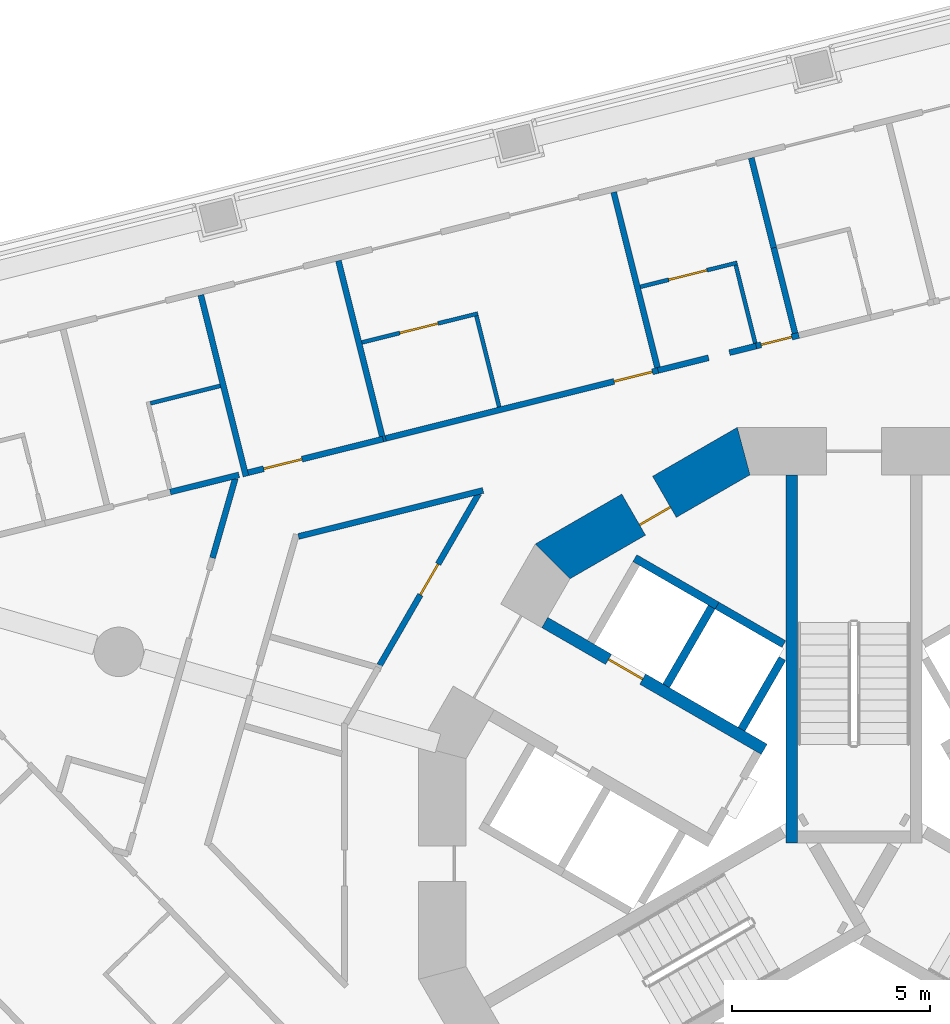
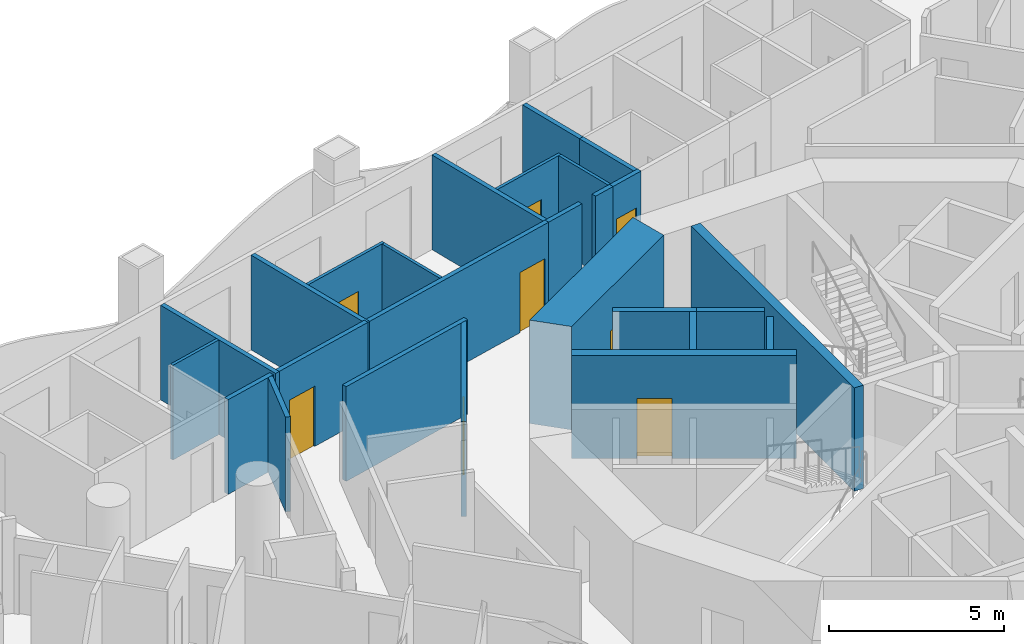
# One storey, part 8 of 20: 26 walls, 8 doors, 8 openings.
"""IFC4 building model written with IfcOpenShell, lengths in metres."""

from ifc_helpers import new_model, si_unit, direction, frame, frame_2d, origin, place, context, subcontext, project, spatial, polyline, rectangle, outline, extrude, material, layer, layer_set, type_object, element, fill, save


model = new_model("IFC4")

# Units and contexts
model_context = context("Model", 3, precision=1e-05, world=origin(), true_north=direction((0.0, 1.0)))
body_context = subcontext(model_context, "Body", "Model", "MODEL_VIEW")
ifc_project = project(units=[si_unit("LENGTHUNIT", "METRE"), si_unit("AREAUNIT", "SQUARE_METRE"), si_unit("VOLUMEUNIT", "CUBIC_METRE"), si_unit("PLANEANGLEUNIT", "RADIAN"), si_unit("MASSUNIT", "GRAM", prefix="KILO")], contexts=[model_context])

# Site, building, storey
site_placement = place(None, origin())
site = spatial("IfcSite", under=ifc_project, at=site_placement, CompositionType="ELEMENT")
building_placement = place(site_placement, origin())
building = spatial("IfcBuilding", under=site, at=building_placement, Name="Trine Commons Tower", CompositionType="ELEMENT")
storey_placement = place(building_placement, frame((0.0, 0.0, 101.699951171875)))
storey = spatial("IfcBuildingStorey", under=building, at=storey_placement, Name="L25", CompositionType="ELEMENT", Elevation=101.699951171875)

# Wall, opening, door
ifc_material_1 = material(Name="Concrete C70/85", Category="concrete")
ifc_layer_1 = layer(ifc_material_1, 1.199951171875)
ifc_layer_set_1 = layer_set([ifc_layer_1], Name="Concrete C70/85")
wall_type_1 = type_object("IfcWallType", Name="RC shear wall 1200 mm, C70/85", PredefinedType="SHEAR", material=ifc_layer_set_1)
wall_1_placement = place(storey_placement, frame((77.349609375, 72.991943359375, 0.0), z_axis=(0.0, 0.0, 1.0), x_axis=(-0.866037463336, -0.499979111662, 0.0)))
wall_1 = element("IfcWall", 1, at=wall_1_placement, inside=storey, type_object=wall_type_1, Name="Core wall CWC-05 L25", PredefinedType="SHEAR", context=body_context, shape_type="SweptSolid", body=[
    extrude(outline(polyline([(0.0, -0.60009765625), (5.901123046875, -0.60009765625), (5.57958984375, 0.60009765625), (0.321533203125, 0.60009765625), (0.0, -0.60009765625)])), origin(), (0.0, 0.0, 1.0), 3.60009765625),
])
opening_1_placement = place(wall_1_placement, frame((2.474853515625, 0.0, 0.0)))
opening_1 = element("IfcOpeningElement", 2, at=opening_1_placement, cuts=wall_1, Name="Opening K04.13", PredefinedType="OPENING", context=body_context, shape_type="SweptSolid", body=[
    extrude(rectangle(XDim=0.89990234375, YDim=2.10009765625, at=frame_2d((0.449951171875, 1.050048828125))), frame((0.0, 0.60986328125, 0.0), z_axis=(0.0, -1.0, 0.0), x_axis=(1.0, 0.0, 0.0)), (0.0, 0.0, 1.0), 1.219970703125),
])
ifc_material_2 = material(Name="Steel door leaf, fire-rated", Category="steel")
door_type_1 = type_object("IfcDoorType", Name="Core room door, single leaf 900 x 2100, FD30S", OperationType="SINGLE_SWING_LEFT", PredefinedType="DOOR", material=ifc_material_2)
door_1_placement = place(opening_1_placement, origin())
door_1 = element("IfcDoor", 3, at=door_1_placement, inside=storey, type_object=door_type_1, Name="Door to Comms room L25", OperationType="SINGLE_SWING_LEFT", OverallHeight=2.10009765625, OverallWidth=0.89990234375, PredefinedType="DOOR", context=body_context, shape_type="SweptSolid", body=[
    extrude(rectangle(XDim=0.89990234375, YDim=2.10009765625, at=frame_2d((0.449951171875, 1.050048828125))), frame((0.0, 0.3251953125, 0.0), z_axis=(0.0, -1.0, 0.0), x_axis=(1.0, 0.0, 0.0)), (0.0, 0.0, 1.0), 0.050048828125),
])
fill(opening_1, door_1)

ifc_layer_2 = layer(ifc_material_1, 0.300048828125)
ifc_layer_set_2 = layer_set([ifc_layer_2], Name="Concrete C70/85")
wall_type_2 = type_object("IfcWallType", Name="RC shear wall 300 mm, C70/85", PredefinedType="SHEAR", material=ifc_layer_set_2)
wall_2_placement = place(storey_placement, frame((77.73095703125, 65.368896484375, 0.0), z_axis=(0.0, 0.0, 1.0), x_axis=(-0.866022631842, 0.500004801114, 0.0)))
wall_2 = element("IfcWall", 4, at=wall_2_placement, inside=storey, type_object=wall_type_2, Name="Core cross wall SWA-02 L25", PredefinedType="SHEAR", context=body_context, shape_type="SweptSolid", body=[
    extrude(rectangle(XDim=6.412109375, YDim=0.300048828125, at=frame_2d((3.2060546875, 0.0))), origin(), (0.0, 0.0, 1.0), 3.60009765625),
])
opening_2_placement = place(wall_2_placement, frame((3.55029296875, 0.0, 0.0)))
opening_2 = element("IfcOpeningElement", 5, at=opening_2_placement, cuts=wall_2, Name="Opening LD4", PredefinedType="OPENING", context=body_context, shape_type="SweptSolid", body=[
    extrude(rectangle(XDim=1.0, YDim=2.10009765625, at=frame_2d((0.5, 1.050048828125))), frame((0.0, 0.159912109375, 0.0), z_axis=(0.0, -1.0, 0.0), x_axis=(1.0, 0.0, 0.0)), (0.0, 0.0, 1.0), 0.320068359375),
])
ifc_material_3 = material(Name="Stainless steel sliding door leaves", Category="steel")
door_type_2 = type_object("IfcDoorType", Name="Lift landing door, centre-opening sliding 1000 x 2100, FD90", OperationType="DOUBLE_DOOR_SLIDING", PredefinedType="DOOR", material=ifc_material_3)
door_2_placement = place(opening_2_placement, origin())
door_2 = element("IfcDoor", 6, at=door_2_placement, inside=storey, type_object=door_type_2, Name="Lift landing door LR4 L25", OperationType="DOUBLE_DOOR_SLIDING", OverallHeight=2.10009765625, OverallWidth=1.0, PredefinedType="DOOR", context=body_context, shape_type="SweptSolid", body=[
    extrude(rectangle(XDim=1.0, YDim=2.10009765625, at=frame_2d((0.5, 1.050048828125))), frame((0.0, 0.02490234375, 0.0), z_axis=(0.0, -1.0, 0.0), x_axis=(1.0, 0.0, 0.0)), (0.0, 0.0, 1.0), 0.050048828125),
])
fill(opening_2, door_2)

# Walls
wall_3_placement = place(storey_placement, frame((78.425048828125, 63.0009765625, 0.0), z_axis=(0.0, 0.0, 1.0), x_axis=(0.0, 1.0, 0.0)))
element("IfcWall", 7, at=wall_3_placement, inside=storey, type_object=wall_type_2, Name="Core cross wall SWA-08 L25", PredefinedType="SHEAR", context=body_context, shape_type="SweptSolid", body=[
    extrude(rectangle(XDim=9.31103515625, YDim=0.300048828125, at=frame_2d((4.655517578125, 0.0))), origin(), (0.0, 0.0, 1.0), 3.60009765625),
])
ifc_material_4 = material(Name="Fire-rated gypsum shaft wall system")
ifc_layer_3 = layer(ifc_material_4, 0.199951171875)
ifc_layer_set_3 = layer_set([ifc_layer_3], Name="Fire-rated gypsum shaft wall system")
wall_type_3 = type_object("IfcWallType", Name="Shaft wall 200 mm, EI 120", PredefinedType="PARTITIONING", material=ifc_layer_set_3)
wall_4_placement = place(storey_placement, frame((75.2509765625, 66.97412109375, 0.0), z_axis=(0.0, 0.0, 1.0), x_axis=(0.500136062276, 0.86594683394, 0.0)))
element("IfcWall", 8, at=wall_4_placement, inside=storey, type_object=wall_type_3, Name="Shaft wall L25", PredefinedType="PARTITIONING", context=body_context, shape_type="SweptSolid", body=[
    extrude(rectangle(XDim=2.299072265625, YDim=0.199951171875, at=frame_2d((1.1494140625, 0.0))), origin(), (0.0, 0.0, 1.0), 3.300048828125),
])
wall_5_placement = place(storey_placement, frame((76.5380859375, 69.001953125, 0.0), z_axis=(0.0, 0.0, 1.0), x_axis=(-0.866202511239, 0.499693115345, 0.0)))
element("IfcWall", 9, at=wall_5_placement, inside=storey, type_object=wall_type_3, Name="Shaft wall L25", PredefinedType="PARTITIONING", context=body_context, shape_type="SweptSolid", body=[
    extrude(rectangle(XDim=2.4013671875, YDim=0.199951171875, at=frame_2d((1.20068359375, 0.0))), origin(), (0.0, 0.0, 1.0), 3.300048828125),
])
wall_6_placement = place(storey_placement, frame((77.156005859375, 65.8740234375, 0.0), z_axis=(0.0, 0.0, 1.0), x_axis=(0.499865770674, 0.866102887253, 0.0)))
element("IfcWall", 10, at=wall_6_placement, inside=storey, type_object=wall_type_3, Name="Shaft wall L25", PredefinedType="PARTITIONING", context=body_context, shape_type="SweptSolid", body=[
    extrude(rectangle(XDim=2.064453125, YDim=0.199951171875, at=frame_2d((1.0322265625, 0.0))), origin(), (0.0, 0.0, 1.0), 3.300048828125),
])
wall_7_placement = place(storey_placement, frame((78.22509765625, 68.028076171875, 0.0), z_axis=(0.0, 0.0, 1.0), x_axis=(-0.866052014814, 0.499953905513, 0.0)))
element("IfcWall", 11, at=wall_7_placement, inside=storey, type_object=wall_type_3, Name="Shaft wall L25", PredefinedType="PARTITIONING", context=body_context, shape_type="SweptSolid", body=[
    extrude(rectangle(XDim=1.947998046875, YDim=0.199951171875, at=frame_2d((0.97412109375, 0.0))), origin(), (0.0, 0.0, 1.0), 3.300048828125),
])
ifc_material_5 = material(Name="Gypsum plasterboard on steel stud", Category="steel")
ifc_layer_4 = layer(ifc_material_5, 0.14990234375)
ifc_layer_set_4 = layer_set([ifc_layer_4], Name="Gypsum plasterboard on steel stud")
wall_type_4 = type_object("IfcWallType", Name="Unit and corridor wall 150 mm, EI 60", PredefinedType="PARTITIONING", material=ifc_layer_set_4)
wall_8_placement = place(storey_placement, frame((62.705078125, 71.8759765625, 0.0), z_axis=(0.0, 0.0, 1.0), x_axis=(0.970318656337, 0.241829909573, 0.0)))
element("IfcWall", 12, at=wall_8_placement, inside=storey, type_object=wall_type_4, Name="Partition 027", PredefinedType="PARTITIONING", context=body_context, shape_type="SweptSolid", body=[
    extrude(rectangle(XDim=1.791015625, YDim=0.14990234375, at=frame_2d((0.8955078125, 0.0))), origin(), (0.0, 0.0, 1.0), 3.300048828125),
])
wall_9_placement = place(storey_placement, frame((63.476806640625, 76.858154296875, 0.0), z_axis=(0.0, 0.0, 1.0), x_axis=(0.242049130854, -0.970263994103, 0.0)))
element("IfcWall", 13, at=wall_9_placement, inside=storey, type_object=wall_type_4, Name="Partition 029", PredefinedType="PARTITIONING", context=body_context, shape_type="SweptSolid", body=[
    extrude(rectangle(XDim=4.723388671875, YDim=0.14990234375, at=frame_2d((2.36181640625, 0.0))), origin(), (0.0, 0.0, 1.0), 3.300048828125),
])
wall_10_placement = place(storey_placement, frame((63.77392578125, 70.2099609375, 0.0), z_axis=(0.0, 0.0, 1.0), x_axis=(0.275353680299, 0.961342993289, 0.0)))
element("IfcWall", 14, at=wall_10_placement, inside=storey, type_object=wall_type_4, Name="Partition 032", PredefinedType="PARTITIONING", context=body_context, shape_type="SweptSolid", body=[
    extrude(rectangle(XDim=2.08984375, YDim=0.14990234375, at=frame_2d((1.044921875, 0.0))), origin(), (0.0, 0.0, 1.0), 3.300048828125),
])

# Wall, opening, door
wall_11_placement = place(storey_placement, frame((64.6708984375, 72.3662109375, 0.0), z_axis=(0.0, 0.0, 1.0), x_axis=(0.97035426046, 0.241687006697, 0.0)))
wall_11 = element("IfcWall", 15, at=wall_11_placement, inside=storey, type_object=wall_type_4, Name="Partition 034", PredefinedType="PARTITIONING", context=body_context, shape_type="SweptSolid", body=[
    extrude(rectangle(XDim=3.520263671875, YDim=0.14990234375, at=frame_2d((1.76025390625, 0.0))), origin(), (0.0, 0.0, 1.0), 3.300048828125),
])
opening_3_placement = place(wall_11_placement, frame((0.41015625, 0.0, 0.0)))
opening_3 = element("IfcOpeningElement", 16, at=opening_3_placement, cuts=wall_11, Name="Opening D-3B09", PredefinedType="OPENING", context=body_context, shape_type="SweptSolid", body=[
    extrude(rectangle(XDim=1.0, YDim=2.10009765625, at=frame_2d((0.5, 1.050048828125))), frame((0.0, 0.0849609375, 0.0), z_axis=(0.0, -1.0, 0.0), x_axis=(1.0, 0.0, 0.0)), (0.0, 0.0, 1.0), 0.169921875),
])
ifc_material_6 = material(Name="Painted timber", Category="wood")
door_type_3 = type_object("IfcDoorType", Name="Amenity room door 1000 x 2100, NOT RATED", OperationType="NOTDEFINED", PredefinedType="DOOR", material=ifc_material_6)
door_3_placement = place(opening_3_placement, origin())
door_3 = element("IfcDoor", 17, at=door_3_placement, inside=storey, type_object=door_type_3, Name="Door D-3B09", OperationType="SINGLE_SWING_LEFT", OverallHeight=2.10009765625, OverallWidth=1.0, PredefinedType="DOOR", context=body_context, shape_type="SweptSolid", body=[
    extrude(rectangle(XDim=1.0, YDim=2.10009765625, at=frame_2d((0.5, 1.050048828125))), frame((0.0, 0.02490234375, 0.0), z_axis=(0.0, -1.0, 0.0), x_axis=(1.0, 0.0, 0.0)), (0.0, 0.0, 1.0), 0.050048828125),
])
fill(opening_3, door_3)

# Walls
wall_12_placement = place(storey_placement, frame((65.94677734375, 70.751220703125, 0.0), z_axis=(0.0, 0.0, 1.0), x_axis=(0.970300367674, 0.241903279206, 0.0)))
element("IfcWall", 18, at=wall_12_placement, inside=storey, type_object=wall_type_4, Name="Partition 038", PredefinedType="PARTITIONING", context=body_context, shape_type="SweptSolid", body=[
    extrude(rectangle(XDim=4.815185546875, YDim=0.14990234375, at=frame_2d((2.40771484375, 0.0))), origin(), (0.0, 0.0, 1.0), 3.300048828125),
])
wall_13_placement = place(storey_placement, frame((66.958740234375, 77.726318359375, 0.0), z_axis=(0.0, 0.0, 1.0), x_axis=(0.24185448203, -0.970312531879, 0.0)))
element("IfcWall", 19, at=wall_13_placement, inside=storey, type_object=wall_type_4, Name="Partition 039", PredefinedType="PARTITIONING", context=body_context, shape_type="SweptSolid", body=[
    extrude(rectangle(XDim=4.72314453125, YDim=0.14990234375, at=frame_2d((2.361572265625, 0.0))), origin(), (0.0, 0.0, 1.0), 3.300048828125),
])

# Wall, opening, door
wall_14_placement = place(storey_placement, frame((68.00244140625, 67.493896484375, 0.0), z_axis=(0.0, 0.0, 1.0), x_axis=(0.499945814907, 0.866056685303, 0.0)))
wall_14 = element("IfcWall", 20, at=wall_14_placement, inside=storey, type_object=wall_type_4, Name="Partition 044", PredefinedType="PARTITIONING", context=body_context, shape_type="SweptSolid", body=[
    extrude(rectangle(XDim=5.0146484375, YDim=0.14990234375, at=frame_2d((2.50732421875, 0.0))), origin(), (0.0, 0.0, 1.0), 3.300048828125),
])
opening_4_placement = place(wall_14_placement, frame((2.057373046875, 0.0, 0.0)))
opening_4 = element("IfcOpeningElement", 21, at=opening_4_placement, cuts=wall_14, Name="Opening D-3B40", PredefinedType="OPENING", context=body_context, shape_type="SweptSolid", body=[
    extrude(rectangle(XDim=0.89990234375, YDim=2.10009765625, at=frame_2d((0.449951171875, 1.050048828125))), frame((0.0, 0.0849609375, 0.0), z_axis=(0.0, -1.0, 0.0), x_axis=(1.0, 0.0, 0.0)), (0.0, 0.0, 1.0), 0.169921875),
])
ifc_material_7 = material(Name="Timber fire door set", Category="wood")
door_type_4 = type_object("IfcDoorType", Name="Service door 900 x 2100, FD30S", OperationType="NOTDEFINED", PredefinedType="DOOR", material=ifc_material_7)
door_4_placement = place(opening_4_placement, origin())
door_4 = element("IfcDoor", 22, at=door_4_placement, inside=storey, type_object=door_type_4, Name="Door D-3B40", OperationType="SINGLE_SWING_LEFT", OverallHeight=2.10009765625, OverallWidth=0.89990234375, PredefinedType="DOOR", context=body_context, shape_type="SweptSolid", body=[
    extrude(rectangle(XDim=0.89990234375, YDim=2.10009765625, at=frame_2d((0.449951171875, 1.050048828125))), frame((0.0, 0.02490234375, 0.0), z_axis=(0.0, -1.0, 0.0), x_axis=(1.0, 0.0, 0.0)), (0.0, 0.0, 1.0), 0.050048828125),
])
fill(opening_4, door_4)

wall_15_placement = place(storey_placement, frame((68.15185546875, 73.233154296875, 0.0), z_axis=(0.0, 0.0, 1.0), x_axis=(0.970264309974, 0.242047864671, 0.0)))
wall_15 = element("IfcWall", 23, at=wall_15_placement, inside=storey, type_object=wall_type_4, Name="Partition 045", PredefinedType="PARTITIONING", context=body_context, shape_type="SweptSolid", body=[
    extrude(rectangle(XDim=7.1845703125, YDim=0.14990234375, at=frame_2d((3.59228515625, 0.0))), origin(), (0.0, 0.0, 1.0), 3.300048828125),
])
opening_5_placement = place(wall_15_placement, frame((5.95556640625, 0.0, 0.0)))
opening_5 = element("IfcOpeningElement", 24, at=opening_5_placement, cuts=wall_15, Name="Opening D-3B10", PredefinedType="OPENING", context=body_context, shape_type="SweptSolid", body=[
    extrude(rectangle(XDim=1.0, YDim=2.10009765625, at=frame_2d((0.5, 1.050048828125))), frame((0.0, 0.0849609375, 0.0), z_axis=(0.0, -1.0, 0.0), x_axis=(1.0, 0.0, 0.0)), (0.0, 0.0, 1.0), 0.169921875),
])
door_type_5 = type_object("IfcDoorType", Name="Bedroom door 1000 x 2100, FD30S", OperationType="NOTDEFINED", PredefinedType="DOOR", material=ifc_material_7)
door_5_placement = place(opening_5_placement, origin())
door_5 = element("IfcDoor", 25, at=door_5_placement, inside=storey, type_object=door_type_5, Name="Door D-3B10", OperationType="SINGLE_SWING_RIGHT", OverallHeight=2.10009765625, OverallWidth=1.0, PredefinedType="DOOR", context=body_context, shape_type="SweptSolid", body=[
    extrude(rectangle(XDim=1.0, YDim=2.10009765625, at=frame_2d((0.5, 1.050048828125))), frame((0.0, 0.02490234375, 0.0), z_axis=(0.0, -1.0, 0.0), x_axis=(1.0, 0.0, 0.0)), (0.0, 0.0, 1.0), 0.050048828125),
])
fill(opening_5, door_5)

# Walls
wall_16_placement = place(storey_placement, frame((73.921630859375, 79.462158203125, 0.0), z_axis=(0.0, 0.0, 1.0), x_axis=(0.241945064156, -0.970289949412, 0.0)))
element("IfcWall", 26, at=wall_16_placement, inside=storey, type_object=wall_type_4, Name="Partition 056", PredefinedType="PARTITIONING", context=body_context, shape_type="SweptSolid", body=[
    extrude(rectangle(XDim=4.572021484375, YDim=0.14990234375, at=frame_2d((2.2861328125, 0.0))), origin(), (0.0, 0.0, 1.0), 3.300048828125),
])
wall_17_placement = place(storey_placement, frame((75.0419921875, 74.951904296875, 0.0), z_axis=(0.0, 0.0, 1.0), x_axis=(0.970305574553, 0.241882392893, 0.0)))
element("IfcWall", 27, at=wall_17_placement, inside=storey, type_object=wall_type_4, Name="Partition 058", PredefinedType="PARTITIONING", context=body_context, shape_type="SweptSolid", body=[
    extrude(rectangle(XDim=1.319091796875, YDim=0.14990234375, at=frame_2d((0.65966796875, 0.0))), origin(), (0.0, 0.0, 1.0), 3.300048828125),
])
wall_18_placement = place(storey_placement, frame((76.84912109375, 75.402099609375, 0.0), z_axis=(0.0, 0.0, 1.0), x_axis=(0.970471582377, 0.241215480013, 0.0)))
element("IfcWall", 28, at=wall_18_placement, inside=storey, type_object=wall_type_4, Name="Partition 062", PredefinedType="PARTITIONING", context=body_context, shape_type="SweptSolid", body=[
    extrude(rectangle(XDim=0.6962890625, YDim=0.14990234375, at=frame_2d((0.34814453125, 0.0))), origin(), (0.0, 0.0, 1.0), 3.300048828125),
])
wall_19_placement = place(storey_placement, frame((77.40380859375, 80.330078125, 0.0), z_axis=(0.0, 0.0, 1.0), x_axis=(0.24200944289, -0.97027389409, 0.0)))
element("IfcWall", 29, at=wall_19_placement, inside=storey, type_object=wall_type_4, Name="Partition 064", PredefinedType="PARTITIONING", context=body_context, shape_type="SweptSolid", body=[
    extrude(rectangle(XDim=2.40185546875, YDim=0.14990234375, at=frame_2d((1.200927734375, 0.0))), origin(), (0.0, 0.0, 1.0), 3.300048828125),
])

# Wall, opening, door
wall_20_placement = place(storey_placement, frame((77.468505859375, 75.556884765625, 0.0), z_axis=(0.0, 0.0, 1.0), x_axis=(0.970313954957, 0.241848772615, 0.0)))
wall_20 = element("IfcWall", 30, at=wall_20_placement, inside=storey, type_object=wall_type_4, Name="Partition 065", PredefinedType="PARTITIONING", context=body_context, shape_type="SweptSolid", body=[
    extrude(rectangle(XDim=1.1708984375, YDim=0.14990234375, at=frame_2d((0.58544921875, 0.0))), origin(), (0.0, 0.0, 1.0), 3.300048828125),
])
opening_6_placement = place(wall_20_placement, frame((0.186767578125, 0.0, 0.0)))
opening_6 = element("IfcOpeningElement", 31, at=opening_6_placement, cuts=wall_20, Name="Opening D-3B11", PredefinedType="OPENING", context=body_context, shape_type="SweptSolid", body=[
    extrude(rectangle(XDim=0.800048828125, YDim=2.10009765625, at=frame_2d((0.39990234375, 1.050048828125))), frame((0.0, 0.0849609375, 0.0), z_axis=(0.0, -1.0, 0.0), x_axis=(1.0, 0.0, 0.0)), (0.0, 0.0, 1.0), 0.169921875),
])
door_type_6 = type_object("IfcDoorType", Name="Bedroom door 800 x 2100, FD30S", OperationType="NOTDEFINED", PredefinedType="DOOR", material=ifc_material_7)
door_6_placement = place(opening_6_placement, origin())
door_6 = element("IfcDoor", 32, at=door_6_placement, inside=storey, type_object=door_type_6, Name="Door D-3B11", OperationType="SINGLE_SWING_RIGHT", OverallHeight=2.10009765625, OverallWidth=0.800048828125, PredefinedType="DOOR", context=body_context, shape_type="SweptSolid", body=[
    extrude(rectangle(XDim=0.800048828125, YDim=2.10009765625, at=frame_2d((0.39990234375, 1.050048828125))), frame((0.0, 0.02490234375, 0.0), z_axis=(0.0, -1.0, 0.0), x_axis=(1.0, 0.0, 0.0)), (0.0, 0.0, 1.0), 0.050048828125),
])
fill(opening_6, door_6)

# Walls
wall_21_placement = place(storey_placement, frame((77.970947265625, 78.055908203125, 0.0), z_axis=(0.0, 0.0, 1.0), x_axis=(0.24191686251, -0.970296981152, 0.0)))
element("IfcWall", 33, at=wall_21_placement, inside=storey, type_object=wall_type_4, Name="Partition 066", PredefinedType="PARTITIONING", context=body_context, shape_type="SweptSolid", body=[
    extrude(rectangle(XDim=2.228271484375, YDim=0.14990234375, at=frame_2d((1.1142578125, 0.0))), origin(), (0.0, 0.0, 1.0), 3.300048828125),
])
ifc_layer_5 = layer(ifc_material_5, 0.10009765625)
ifc_layer_set_5 = layer_set([ifc_layer_5], Name="Gypsum plasterboard on steel stud")
wall_type_5 = type_object("IfcWallType", Name="Unit partition 100 mm, no rating", PredefinedType="PARTITIONING", material=ifc_layer_set_5)
wall_22_placement = place(storey_placement, frame((62.201416015625, 74.1201171875, 0.0), z_axis=(0.0, 0.0, 1.0), x_axis=(0.970276128406, 0.242000484804, 0.0)))
element("IfcWall", 34, at=wall_22_placement, inside=storey, type_object=wall_type_5, Name="Partition 025", PredefinedType="PARTITIONING", context=body_context, shape_type="SweptSolid", body=[
    extrude(rectangle(XDim=1.824951171875, YDim=0.10009765625, at=frame_2d((0.91259765625, 0.0))), origin(), (0.0, 0.0, 1.0), 3.300048828125),
])

# Wall, opening, door
wall_23_placement = place(storey_placement, frame((67.55078125, 75.66015625, 0.0), z_axis=(0.0, 0.0, 1.0), x_axis=(0.970298931632, 0.241909039254, 0.0)))
wall_23 = element("IfcWall", 35, at=wall_23_placement, inside=storey, type_object=wall_type_5, Name="Partition 043", PredefinedType="PARTITIONING", context=body_context, shape_type="SweptSolid", body=[
    extrude(rectangle(XDim=3.025634765625, YDim=0.10009765625, at=frame_2d((1.5126953125, 0.0))), origin(), (0.0, 0.0, 1.0), 3.300048828125),
])
opening_7_placement = place(wall_23_placement, frame((0.98779296875, 0.0, 0.0)))
opening_7 = element("IfcOpeningElement", 36, at=opening_7_placement, cuts=wall_23, Name="Opening D-3B45", PredefinedType="OPENING", context=body_context, shape_type="SweptSolid", body=[
    extrude(rectangle(XDim=1.0, YDim=2.10009765625, at=frame_2d((0.5, 1.050048828125))), frame((0.0, 0.06005859375, 0.0), z_axis=(0.0, -1.0, 0.0), x_axis=(1.0, 0.0, 0.0)), (0.0, 0.0, 1.0), 0.1201171875),
])
door_type_7 = type_object("IfcDoorType", Name="Internal door 1000 x 2100, NOT RATED", OperationType="NOTDEFINED", PredefinedType="DOOR", material=ifc_material_6)
door_7_placement = place(opening_7_placement, origin())
door_7 = element("IfcDoor", 37, at=door_7_placement, inside=storey, type_object=door_type_7, Name="Door D-3B45", OperationType="SINGLE_SWING_LEFT", OverallHeight=2.10009765625, OverallWidth=1.0, PredefinedType="DOOR", context=body_context, shape_type="SweptSolid", body=[
    extrude(rectangle(XDim=1.0, YDim=2.10009765625, at=frame_2d((0.5, 1.050048828125))), frame((0.0, 0.02490234375, 0.0), z_axis=(0.0, -1.0, 0.0), x_axis=(1.0, 0.0, 0.0)), (0.0, 0.0, 1.0), 0.050048828125),
])
fill(opening_7, door_7)

# Wall
wall_24_placement = place(storey_placement, frame((70.4501953125, 76.33154296875, 0.0), z_axis=(0.0, 0.0, 1.0), x_axis=(0.241955150461, -0.970287434303, 0.0)))
element("IfcWall", 38, at=wall_24_placement, inside=storey, type_object=wall_type_5, Name="Partition 047", PredefinedType="PARTITIONING", context=body_context, shape_type="SweptSolid", body=[
    extrude(rectangle(XDim=2.375244140625, YDim=0.10009765625, at=frame_2d((1.1875, 0.0))), origin(), (0.0, 0.0, 1.0), 3.300048828125),
])

# Wall, opening, door
wall_25_placement = place(storey_placement, frame((74.5966796875, 77.067138671875, 0.0), z_axis=(0.0, 0.0, 1.0), x_axis=(0.970290214263, 0.241944002002, 0.0)))
wall_25 = element("IfcWall", 39, at=wall_25_placement, inside=storey, type_object=wall_type_5, Name="Partition 057", PredefinedType="PARTITIONING", context=body_context, shape_type="SweptSolid", body=[
    extrude(rectangle(XDim=2.524658203125, YDim=0.10009765625, at=frame_2d((1.26220703125, 0.0))), origin(), (0.0, 0.0, 1.0), 3.300048828125),
])
opening_8_placement = place(wall_25_placement, frame((0.7373046875, 0.0, 0.0)))
opening_8 = element("IfcOpeningElement", 40, at=opening_8_placement, cuts=wall_25, Name="Opening D-3B46", PredefinedType="OPENING", context=body_context, shape_type="SweptSolid", body=[
    extrude(rectangle(XDim=1.0, YDim=2.10009765625, at=frame_2d((0.5, 1.050048828125))), frame((0.0, 0.06005859375, 0.0), z_axis=(0.0, -1.0, 0.0), x_axis=(1.0, 0.0, 0.0)), (0.0, 0.0, 1.0), 0.1201171875),
])
door_8_placement = place(opening_8_placement, origin())
door_8 = element("IfcDoor", 41, at=door_8_placement, inside=storey, type_object=door_type_7, Name="Door D-3B46", OperationType="SINGLE_SWING_LEFT", OverallHeight=2.10009765625, OverallWidth=1.0, PredefinedType="DOOR", context=body_context, shape_type="SweptSolid", body=[
    extrude(rectangle(XDim=1.0, YDim=2.10009765625, at=frame_2d((0.5, 1.050048828125))), frame((0.0, 0.02490234375, 0.0), z_axis=(0.0, -1.0, 0.0), x_axis=(1.0, 0.0, 0.0)), (0.0, 0.0, 1.0), 0.050048828125),
])
fill(opening_8, door_8)

# Wall
wall_26_placement = place(storey_placement, frame((77.010009765625, 77.617431640625, 0.0), z_axis=(0.0, 0.0, 1.0), x_axis=(0.242084199174, -0.970255245031, 0.0)))
element("IfcWall", 42, at=wall_26_placement, inside=storey, type_object=wall_type_5, Name="Partition 063", PredefinedType="PARTITIONING", context=body_context, shape_type="SweptSolid", body=[
    extrude(rectangle(XDim=2.0361328125, YDim=0.10009765625, at=frame_2d((1.01806640625, 0.0))), origin(), (0.0, 0.0, 1.0), 3.300048828125),
])

save(model, "model.ifc")
